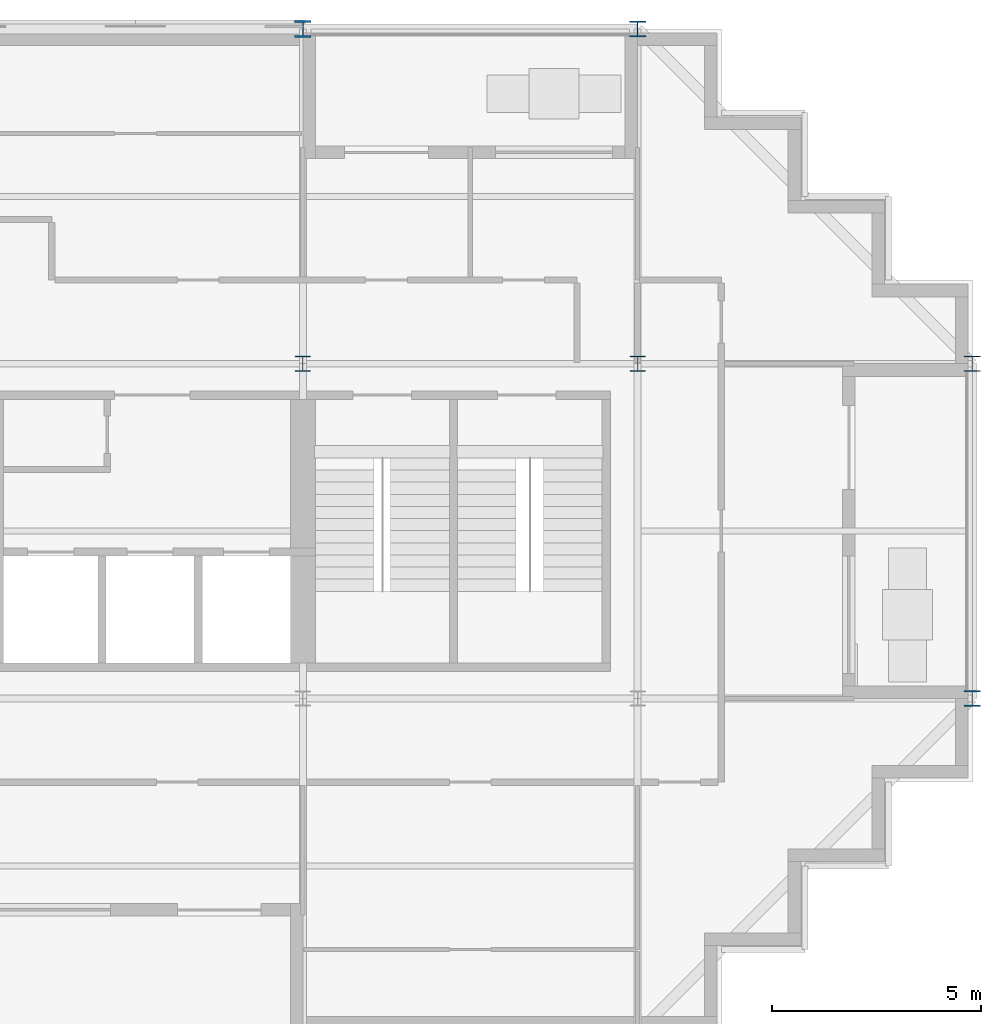
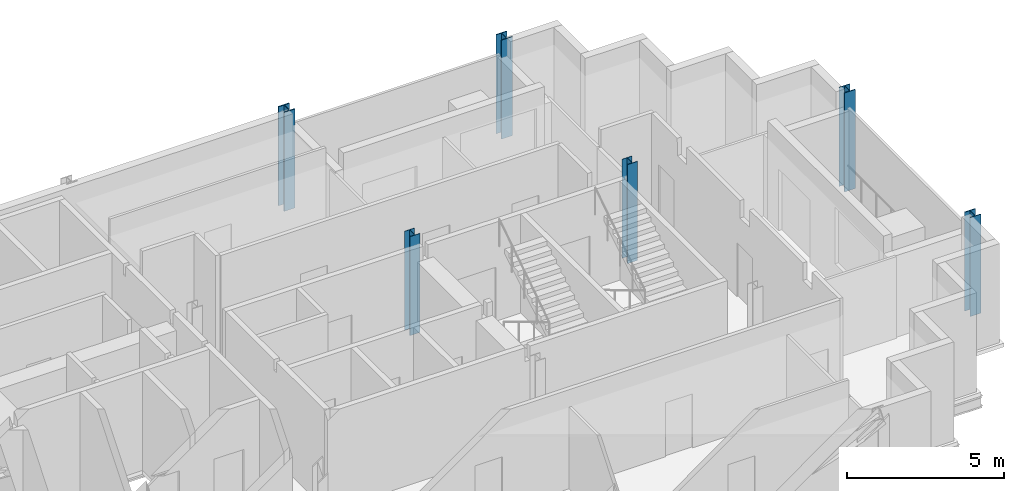
# One storey, part 2 of 10: 6 columns.
"""IFC4 building model written with IfcOpenShell, lengths in metres."""

from ifc_helpers import new_model, si_unit, direction, frame, origin, origin_2d, place, context, subcontext, project, spatial, i_section, extrude, material, material_profile, profile_set, type_object, element, save


model = new_model("IFC4")

# Units and contexts
model_context = context("Model", 3, precision=1e-05, world=origin(), true_north=direction((0.0, 1.0)))
body_context = subcontext(model_context, "Body", "Model", "MODEL_VIEW")
ifc_project = project(units=[si_unit("LENGTHUNIT", "METRE"), si_unit("AREAUNIT", "SQUARE_METRE"), si_unit("VOLUMEUNIT", "CUBIC_METRE"), si_unit("PLANEANGLEUNIT", "RADIAN"), si_unit("MASSUNIT", "GRAM", prefix="KILO")], contexts=[model_context])

# Site, building, storey
site_placement = place(None, origin())
site = spatial("IfcSite", under=ifc_project, at=site_placement, CompositionType="ELEMENT")
building_placement = place(site_placement, origin())
building = spatial("IfcBuilding", under=site, at=building_placement, Name="Immortelle Media Tower", CompositionType="ELEMENT")
storey_placement = place(building_placement, frame((0.0, 0.0, 259.0)))
storey = spatial("IfcBuildingStorey", under=building, at=storey_placement, Name="L56", CompositionType="ELEMENT", Elevation=259.0)

# Columns
ifc_material = material(Name="Steel ASTM A992 Gr 50", Category="steel")
ifc_material_profile_1 = material_profile(ifc_material, i_section(OverallWidth=0.39404296875, OverallDepth=0.3759765625, WebThickness=0.01708984375, FlangeThickness=0.028076171875, at=origin_2d()), Name="W14x145")
ifc_profile_set_1 = profile_set([ifc_material_profile_1], Name="Steel ASTM A992 Gr 50")
column_type_1 = type_object("IfcColumnType", Name="W14x145 column", PredefinedType="COLUMN", material=ifc_profile_set_1)
for number, where, z_axis, x_axis, name in (
    (1, (40.0, 24.0, 0.0), (0.0, 0.0, 1.0), (1.0, 0.0, 0.0), "Column 6/D"),
    (2, (48.0, 8.0, 0.0), (0.0, 0.0, 1.0), (1.0, 0.0, 0.0), "Column 7/B"),
    (3, (48.0, 16.0, 0.0), (0.0, 0.0, 1.0), (1.0, 0.0, 0.0), "Column 7/C"),
):
    element("IfcColumn", number, at=place(storey_placement, frame(where, z_axis=z_axis, x_axis=x_axis)), inside=storey, type_object=column_type_1, Name=name, PredefinedType="COLUMN", context=body_context, shape_type="SweptSolid", body=[
        extrude(i_section(OverallWidth=0.39404296875, OverallDepth=0.3759765625, WebThickness=0.01708984375, FlangeThickness=0.028076171875, at=origin_2d()), origin(), (0.0, 0.0, 1.0), 3.85009765625),
    ])
ifc_material_profile_2 = material_profile(ifc_material, i_section(OverallWidth=0.40087890625, OverallDepth=0.39892578125, WebThickness=0.02490234375, FlangeThickness=0.0400390625, at=origin_2d()), Name="W14x211")
ifc_profile_set_2 = profile_set([ifc_material_profile_2], Name="Steel ASTM A992 Gr 50")
column_type_2 = type_object("IfcColumnType", Name="W14x211 column", PredefinedType="COLUMN", material=ifc_profile_set_2)
column_placement = place(storey_placement, frame((32.0, 24.0, 0.0), z_axis=(0.0, 0.0, 1.0), x_axis=(1.0, 0.0, 0.0)))
element("IfcColumn", 4, at=column_placement, inside=storey, type_object=column_type_2, Name="Column 5/D", PredefinedType="COLUMN", context=body_context, shape_type="SweptSolid", body=[
    extrude(i_section(OverallWidth=0.40087890625, OverallDepth=0.39892578125, WebThickness=0.02490234375, FlangeThickness=0.0400390625, at=origin_2d()), origin(), (0.0, 0.0, 1.0), 3.85009765625),
])
ifc_material_profile_3 = material_profile(ifc_material, i_section(OverallWidth=0.37109375, OverallDepth=0.361083984375, WebThickness=0.011962890625, FlangeThickness=0.02001953125, at=origin_2d()), Name="W14x99")
ifc_profile_set_3 = profile_set([ifc_material_profile_3], Name="Steel ASTM A992 Gr 50")
column_type_3 = type_object("IfcColumnType", Name="W14x99 column", PredefinedType="COLUMN", material=ifc_profile_set_3)
for number, where, z_axis, x_axis, name in (
    (5, (32.0, 16.0, 0.0), (0.0, 0.0, 1.0), (1.0, 0.0, 0.0), "Column 5/C"),
    (6, (40.0, 16.0, 0.0), (0.0, 0.0, 1.0), (1.0, 0.0, 0.0), "Column 6/C"),
):
    element("IfcColumn", number, at=place(storey_placement, frame(where, z_axis=z_axis, x_axis=x_axis)), inside=storey, type_object=column_type_3, Name=name, PredefinedType="COLUMN", context=body_context, shape_type="SweptSolid", body=[
        extrude(i_section(OverallWidth=0.37109375, OverallDepth=0.361083984375, WebThickness=0.011962890625, FlangeThickness=0.02001953125, at=origin_2d()), origin(), (0.0, 0.0, 1.0), 3.85009765625),
    ])

save(model, "model.ifc")
